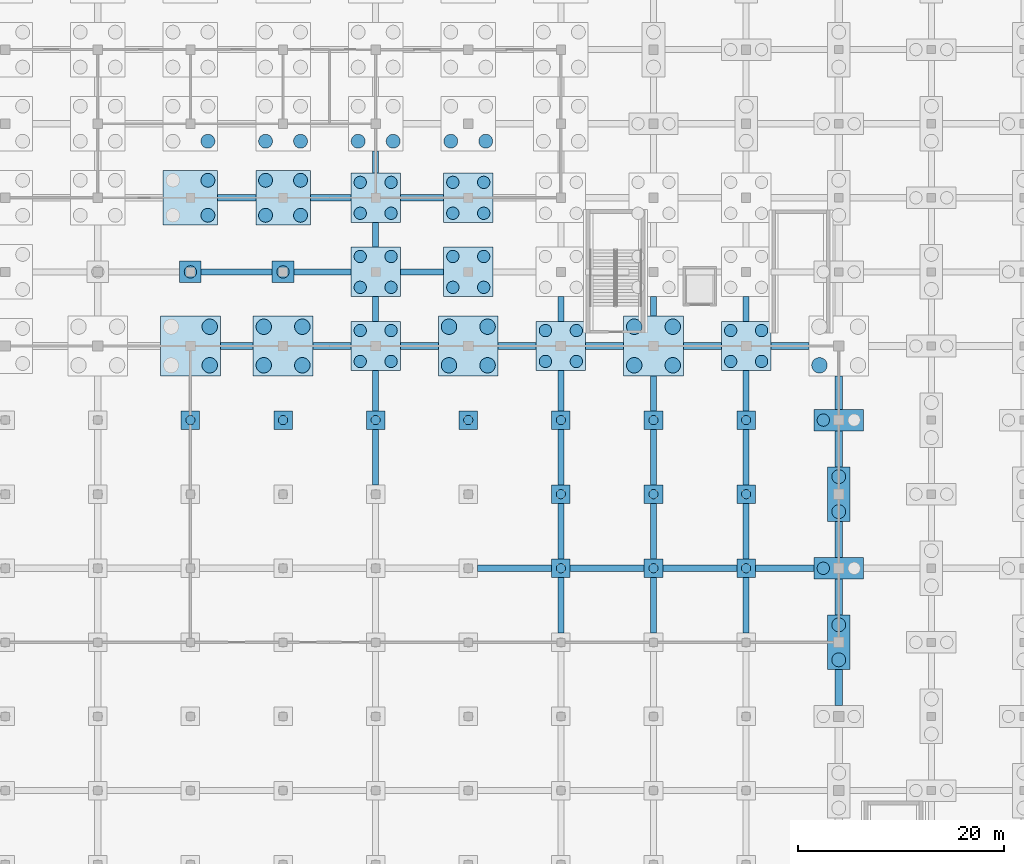
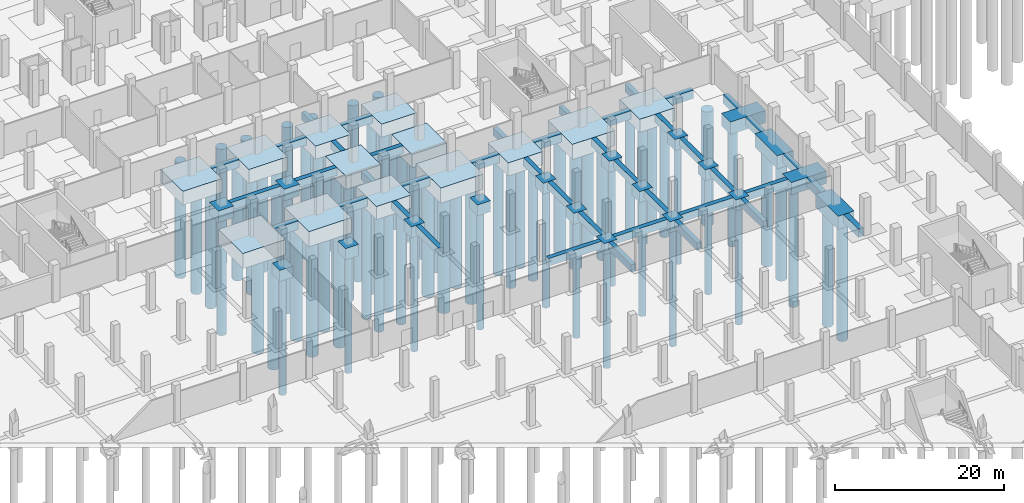
# One storey, part 5 of 39: 77 piles, 74 footings.
"""IFC4 building model written with IfcOpenShell, lengths in metres."""

from ifc_helpers import new_model, si_unit, direction, frame, origin, origin_2d, place, context, subcontext, project, spatial, rectangle, circle, extrude, material, material_profile, profile_set, type_object, element, save


model = new_model("IFC4")

# Units and contexts
model_context = context("Model", 3, precision=1e-05, world=origin(), true_north=direction((0.0, 1.0)))
body_context = subcontext(model_context, "Body", "Model", "MODEL_VIEW")
ifc_project = project(units=[si_unit("LENGTHUNIT", "METRE"), si_unit("AREAUNIT", "SQUARE_METRE"), si_unit("VOLUMEUNIT", "CUBIC_METRE"), si_unit("PLANEANGLEUNIT", "RADIAN"), si_unit("MASSUNIT", "GRAM", prefix="KILO")], contexts=[model_context])

# Site, building, storey
site_placement = place(None, origin())
site = spatial("IfcSite", under=ifc_project, at=site_placement, CompositionType="ELEMENT")
building_placement = place(site_placement, origin())
building = spatial("IfcBuilding", under=site, at=building_placement, Name="Celestram Park Convention Centre", CompositionType="ELEMENT")
storey_placement = place(building_placement, frame((0.0, 0.0, -5.39990234375)))
storey = spatial("IfcBuildingStorey", under=building, at=storey_placement, Name="B1", CompositionType="ELEMENT", Elevation=-5.39990234375)

# Footings
ifc_material_1 = material(Name="Concrete C40/50", Category="concrete")
footing_type_1 = type_object("IfcFootingType", Name="STR-CAP-PC1", PredefinedType="PILE_CAP", material=ifc_material_1)
for number, where, z_axis, x_axis, name in (
    (1, (63.0, 100.800048828125, -1.60009765625), (0.0, 0.0, 1.0), (1.0, 0.0, 0.0), "Caisson cap PC-01 at (63.0, 100.8)"),
    (2, (72.0, 100.800048828125, -1.60009765625), (0.0, 0.0, 1.0), (1.0, 0.0, 0.0), "Caisson cap PC-01 at (72.0, 100.8)"),
    (3, (81.0, 100.800048828125, -1.60009765625), (0.0, 0.0, 1.0), (1.0, 0.0, 0.0), "Caisson cap PC-01 at (81.0, 100.8)"),
    (4, (90.0, 100.800048828125, -1.60009765625), (0.0, 0.0, 1.0), (1.0, 0.0, 0.0), "Caisson cap PC-01 at (90.0, 100.8)"),
    (5, (99.0, 86.39990234375, -1.60009765625), (0.0, 0.0, 1.0), (1.0, 0.0, 0.0), "Caisson cap PC-01 at (99.0, 86.4)"),
    (6, (99.0, 93.60009765625, -1.60009765625), (0.0, 0.0, 1.0), (1.0, 0.0, 0.0), "Caisson cap PC-01 at (99.0, 93.6)"),
    (7, (99.0, 100.800048828125, -1.60009765625), (0.0, 0.0, 1.0), (1.0, 0.0, 0.0), "Caisson cap PC-01 at (99.0, 100.8)"),
    (8, (108.0, 86.39990234375, -1.60009765625), (0.0, 0.0, 1.0), (1.0, 0.0, 0.0), "Caisson cap PC-01 at (108.0, 86.4)"),
    (9, (108.0, 93.60009765625, -1.60009765625), (0.0, 0.0, 1.0), (1.0, 0.0, 0.0), "Caisson cap PC-01 at (108.0, 93.6)"),
    (10, (108.0, 100.800048828125, -1.60009765625), (0.0, 0.0, 1.0), (1.0, 0.0, 0.0), "Caisson cap PC-01 at (108.0, 100.8)"),
    (11, (117.0, 86.39990234375, -1.60009765625), (0.0, 0.0, 1.0), (1.0, 0.0, 0.0), "Caisson cap PC-01 at (117.0, 86.4)"),
    (12, (117.0, 93.60009765625, -1.60009765625), (0.0, 0.0, 1.0), (1.0, 0.0, 0.0), "Caisson cap PC-01 at (117.0, 93.6)"),
    (13, (117.0, 100.800048828125, -1.60009765625), (0.0, 0.0, 1.0), (1.0, 0.0, 0.0), "Caisson cap PC-01 at (117.0, 100.8)"),
):
    element("IfcFooting", number, at=place(storey_placement, frame(where, z_axis=z_axis, x_axis=x_axis)), inside=storey, type_object=footing_type_1, Name=name, PredefinedType="PILE_CAP", context=body_context, shape_type="SweptSolid", body=[
        extrude(rectangle(XDim=1.800048828125, YDim=1.800048828125, at=origin_2d()), origin(), (0.0, 0.0, 1.0), 1.60009765625),
    ])
footing_type_2 = type_object("IfcFootingType", Name="STR-CAP-PC2", PredefinedType="PILE_CAP", material=ifc_material_1)
for number, where, z_axis, x_axis, name in (
    (14, (63.0, 115.199951171875, -1.7001953125), (0.0, 0.0, 1.0), (1.0, 0.0, 0.0), "Caisson cap PC-02 at (63.0, 115.2)"),
    (15, (72.0, 115.199951171875, -1.7001953125), (0.0, 0.0, 1.0), (1.0, 0.0, 0.0), "Caisson cap PC-02 at (72.0, 115.2)"),
):
    element("IfcFooting", number, at=place(storey_placement, frame(where, z_axis=z_axis, x_axis=x_axis)), inside=storey, type_object=footing_type_2, Name=name, PredefinedType="PILE_CAP", context=body_context, shape_type="SweptSolid", body=[
        extrude(rectangle(XDim=2.10009765625, YDim=2.10009765625, at=origin_2d()), origin(), (0.0, 0.0, 1.0), 1.699951171875),
    ])
footing_type_3 = type_object("IfcFootingType", Name="STR-CAP-PC4", PredefinedType="PILE_CAP", material=ifc_material_1)
for number, where, z_axis, x_axis, name in (
    (16, (126.0, 86.39990234375, -1.80029296875), (0.0, 0.0, 1.0), (1.0, 0.0, 0.0), "Caisson cap PC-04 at (126.0, 86.4)"),
    (17, (126.0, 100.800048828125, -1.80029296875), (0.0, 0.0, 1.0), (1.0, 0.0, 0.0), "Caisson cap PC-04 at (126.0, 100.8)"),
):
    element("IfcFooting", number, at=place(storey_placement, frame(where, z_axis=z_axis, x_axis=x_axis)), inside=storey, type_object=footing_type_3, Name=name, PredefinedType="PILE_CAP", context=body_context, shape_type="SweptSolid", body=[
        extrude(rectangle(XDim=4.800048828125, YDim=2.10009765625, at=origin_2d()), origin(), (0.0, 0.0, 1.0), 1.800048828125),
    ])
footing_type_4 = type_object("IfcFootingType", Name="STR-CAP-PC5", PredefinedType="PILE_CAP", material=ifc_material_1)
for number, where, z_axis, x_axis, name in (
    (18, (126.0, 79.199951171875, -1.900146484375), (0.0, 0.0, 1.0), (1.0, 0.0, 0.0), "Caisson cap PC-05 at (126.0, 79.2)"),
    (19, (126.0, 93.60009765625, -1.900146484375), (0.0, 0.0, 1.0), (1.0, 0.0, 0.0), "Caisson cap PC-05 at (126.0, 93.6)"),
):
    element("IfcFooting", number, at=place(storey_placement, frame(where, z_axis=z_axis, x_axis=x_axis)), inside=storey, type_object=footing_type_4, Name=name, PredefinedType="PILE_CAP", context=body_context, shape_type="SweptSolid", body=[
        extrude(rectangle(XDim=2.199951171875, YDim=5.300048828125, at=origin_2d()), origin(), (0.0, 0.0, 1.0), 1.89990234375),
    ])
footing_type_5 = type_object("IfcFootingType", Name="STR-CAP-PC6", PredefinedType="PILE_CAP", material=ifc_material_1)
for number, where, z_axis, x_axis, name in (
    (20, (81.0, 108.0, -1.900146484375), (0.0, 0.0, 1.0), (1.0, 0.0, 0.0), "Caisson cap PC-06 at (81.0, 108.0)"),
    (21, (81.0, 115.199951171875, -1.900146484375), (0.0, 0.0, 1.0), (1.0, 0.0, 0.0), "Caisson cap PC-06 at (81.0, 115.2)"),
    (22, (81.0, 122.39990234375, -1.900146484375), (0.0, 0.0, 1.0), (1.0, 0.0, 0.0), "Caisson cap PC-06 at (81.0, 122.4)"),
    (23, (90.0, 115.199951171875, -1.900146484375), (0.0, 0.0, 1.0), (1.0, 0.0, 0.0), "Caisson cap PC-06 at (90.0, 115.2)"),
    (24, (90.0, 122.39990234375, -1.900146484375), (0.0, 0.0, 1.0), (1.0, 0.0, 0.0), "Caisson cap PC-06 at (90.0, 122.4)"),
    (25, (99.0, 108.0, -1.900146484375), (0.0, 0.0, 1.0), (1.0, 0.0, 0.0), "Caisson cap PC-06 at (99.0, 108.0)"),
    (26, (117.0, 108.0, -1.900146484375), (0.0, 0.0, 1.0), (1.0, 0.0, 0.0), "Caisson cap PC-06 at (117.0, 108.0)"),
):
    element("IfcFooting", number, at=place(storey_placement, frame(where, z_axis=z_axis, x_axis=x_axis)), inside=storey, type_object=footing_type_5, Name=name, PredefinedType="PILE_CAP", context=body_context, shape_type="SweptSolid", body=[
        extrude(rectangle(XDim=4.800048828125, YDim=4.800048828125, at=origin_2d()), origin(), (0.0, 0.0, 1.0), 1.89990234375),
    ])
footing_type_6 = type_object("IfcFootingType", Name="STR-CAP-PC7", PredefinedType="PILE_CAP", material=ifc_material_1)
for number, where, z_axis, x_axis, name in (
    (27, (63.0, 122.39990234375, -2.0), (0.0, 0.0, 1.0), (1.0, 0.0, 0.0), "Caisson cap PC-07 at (63.0, 122.4)"),
    (28, (72.0, 122.39990234375, -2.0), (0.0, 0.0, 1.0), (1.0, 0.0, 0.0), "Caisson cap PC-07 at (72.0, 122.4)"),
):
    element("IfcFooting", number, at=place(storey_placement, frame(where, z_axis=z_axis, x_axis=x_axis)), inside=storey, type_object=footing_type_6, Name=name, PredefinedType="PILE_CAP", context=body_context, shape_type="SweptSolid", body=[
        extrude(rectangle(XDim=5.300048828125, YDim=5.300048828125, at=origin_2d()), origin(), (0.0, 0.0, 1.0), 2.0),
    ])
footing_type_7 = type_object("IfcFootingType", Name="STR-CAP-PC8", PredefinedType="PILE_CAP", material=ifc_material_1)
for number, where, z_axis, x_axis, name in (
    (29, (63.0, 108.0, -2.2001953125), (0.0, 0.0, 1.0), (1.0, 0.0, 0.0), "Caisson cap PC-08 at (63.0, 108.0)"),
    (30, (72.0, 108.0, -2.2001953125), (0.0, 0.0, 1.0), (1.0, 0.0, 0.0), "Caisson cap PC-08 at (72.0, 108.0)"),
    (31, (90.0, 108.0, -2.2001953125), (0.0, 0.0, 1.0), (1.0, 0.0, 0.0), "Caisson cap PC-08 at (90.0, 108.0)"),
    (32, (108.0, 108.0, -2.2001953125), (0.0, 0.0, 1.0), (1.0, 0.0, 0.0), "Caisson cap PC-08 at (108.0, 108.0)"),
):
    element("IfcFooting", number, at=place(storey_placement, frame(where, z_axis=z_axis, x_axis=x_axis)), inside=storey, type_object=footing_type_7, Name=name, PredefinedType="PILE_CAP", context=body_context, shape_type="SweptSolid", body=[
        extrude(rectangle(XDim=5.800048828125, YDim=5.800048828125, at=origin_2d()), origin(), (0.0, 0.0, 1.0), 2.199951171875),
    ])
ifc_material_2 = material(Name="Concrete C35/45", Category="concrete")
footing_type_8 = type_object("IfcFootingType", Name="STR-FTG-GB02", PredefinedType="FOOTING_BEAM", material=ifc_material_2)
footing_1_placement = place(storey_placement, frame((126.0, 103.47509765625, -1.2001953125), z_axis=(0.0, 0.0, 1.0), x_axis=(0.0, 1.0, 0.0)))
element("IfcFooting", 33, at=footing_1_placement, inside=storey, type_object=footing_type_8, Name="Grade tie beam GB-B1-362", PredefinedType="FOOTING_BEAM", context=body_context, shape_type="SweptSolid", body=[
    extrude(rectangle(XDim=3.25, YDim=0.699951171875, at=origin_2d()), origin(), (0.0, 0.0, 1.0), 1.199951171875),
])
footing_type_9 = type_object("IfcFootingType", Name="STR-FTG-GB05", PredefinedType="FOOTING_BEAM", material=ifc_material_2)
footing_2_placement = place(storey_placement, frame((67.5, 115.199951171875, -1.10009765625), z_axis=(0.0, 0.0, 1.0), x_axis=(1.0, 0.0, 0.0)))
element("IfcFooting", 34, at=footing_2_placement, inside=storey, type_object=footing_type_9, Name="Grade tie beam GB-B1-171", PredefinedType="FOOTING_BEAM", context=body_context, shape_type="SweptSolid", body=[
    extrude(rectangle(XDim=6.89990234375, YDim=0.60009765625, at=origin_2d()), origin(), (0.0, 0.0, 1.0), 1.10009765625),
])
footing_type_10 = type_object("IfcFootingType", Name="STR-FTG-GB06", PredefinedType="FOOTING_BEAM", material=ifc_material_2)
for number, where, z_axis, x_axis, name in (
    (35, (94.5, 86.39990234375, -1.10009765625), (0.0, 0.0, 1.0), (1.0, 0.0, 0.0), "Grade tie beam GB-B1-231"),
    (36, (103.5, 86.39990234375, -1.10009765625), (0.0, 0.0, 1.0), (1.0, 0.0, 0.0), "Grade tie beam GB-B1-256"),
    (37, (112.5, 86.39990234375, -1.10009765625), (0.0, 0.0, 1.0), (1.0, 0.0, 0.0), "Grade tie beam GB-B1-292"),
):
    element("IfcFooting", number, at=place(storey_placement, frame(where, z_axis=z_axis, x_axis=x_axis)), inside=storey, type_object=footing_type_10, Name=name, PredefinedType="FOOTING_BEAM", context=body_context, shape_type="SweptSolid", body=[
        extrude(rectangle(XDim=7.199951171875, YDim=0.60009765625, at=origin_2d()), origin(), (0.0, 0.0, 1.0), 1.10009765625),
    ])
footing_type_11 = type_object("IfcFootingType", Name="STR-FTG-GB08", PredefinedType="FOOTING_BEAM", material=ifc_material_2)
for number, where, z_axis, x_axis, name in (
    (38, (81.0, 97.199951171875, -1.10009765625), (0.0, 0.0, 1.0), (0.0, 1.0, 0.0), "Grade tie beam GB-B1-209"),
    (39, (99.0, 82.800048828125, -1.10009765625), (0.0, 0.0, 1.0), (0.0, 1.0, 0.0), "Grade tie beam GB-B1-255"),
    (40, (99.0, 90.0, -1.10009765625), (0.0, 0.0, 1.0), (0.0, 1.0, 0.0), "Grade tie beam GB-B1-257"),
    (41, (99.0, 97.199951171875, -1.10009765625), (0.0, 0.0, 1.0), (0.0, 1.0, 0.0), "Grade tie beam GB-B1-258"),
    (42, (108.0, 82.800048828125, -1.10009765625), (0.0, 0.0, 1.0), (0.0, 1.0, 0.0), "Grade tie beam GB-B1-291"),
    (43, (108.0, 90.0, -1.10009765625), (0.0, 0.0, 1.0), (0.0, 1.0, 0.0), "Grade tie beam GB-B1-293"),
    (44, (108.0, 97.199951171875, -1.10009765625), (0.0, 0.0, 1.0), (0.0, 1.0, 0.0), "Grade tie beam GB-B1-294"),
    (45, (117.0, 82.800048828125, -1.10009765625), (0.0, 0.0, 1.0), (0.0, 1.0, 0.0), "Grade tie beam GB-B1-326"),
    (46, (117.0, 90.0, -1.10009765625), (0.0, 0.0, 1.0), (0.0, 1.0, 0.0), "Grade tie beam GB-B1-328"),
    (47, (117.0, 97.199951171875, -1.10009765625), (0.0, 0.0, 1.0), (0.0, 1.0, 0.0), "Grade tie beam GB-B1-329"),
):
    element("IfcFooting", number, at=place(storey_placement, frame(where, z_axis=z_axis, x_axis=x_axis)), inside=storey, type_object=footing_type_11, Name=name, PredefinedType="FOOTING_BEAM", context=body_context, shape_type="SweptSolid", body=[
        extrude(rectangle(XDim=5.39990234375, YDim=0.60009765625, at=origin_2d()), origin(), (0.0, 0.0, 1.0), 1.10009765625),
    ])
footing_type_12 = type_object("IfcFootingType", Name="STR-FTG-GB17", PredefinedType="FOOTING_BEAM", material=ifc_material_2)
footing_3_placement = place(storey_placement, frame((67.5, 122.39990234375, -1.10009765625), z_axis=(0.0, 0.0, 1.0), x_axis=(1.0, 0.0, 0.0)))
element("IfcFooting", 48, at=footing_3_placement, inside=storey, type_object=footing_type_12, Name="Grade tie beam GB-B1-172", PredefinedType="FOOTING_BEAM", context=body_context, shape_type="SweptSolid", body=[
    extrude(rectangle(XDim=3.699951171875, YDim=0.60009765625, at=origin_2d()), origin(), (0.0, 0.0, 1.0), 1.10009765625),
])
footing_type_13 = type_object("IfcFootingType", Name="STR-FTG-GB19", PredefinedType="FOOTING_BEAM", material=ifc_material_2)
for number, where, z_axis, x_axis, name in (
    (49, (76.75, 108.0, -1.2001953125), (0.0, 0.0, 1.0), (1.0, 0.0, 0.0), "Grade tie beam GB-B1-183"),
    (50, (85.25, 108.0, -1.2001953125), (0.0, 0.0, 1.0), (1.0, 0.0, 0.0), "Grade tie beam GB-B1-211"),
    (51, (94.75, 108.0, -1.2001953125), (0.0, 0.0, 1.0), (1.0, 0.0, 0.0), "Grade tie beam GB-B1-232"),
    (52, (103.25, 108.0, -1.2001953125), (0.0, 0.0, 1.0), (1.0, 0.0, 0.0), "Grade tie beam GB-B1-260"),
    (53, (112.75, 108.0, -1.2001953125), (0.0, 0.0, 1.0), (1.0, 0.0, 0.0), "Grade tie beam GB-B1-296"),
    (54, (121.25, 108.0, -1.2001953125), (0.0, 0.0, 1.0), (1.0, 0.0, 0.0), "Grade tie beam GB-B1-331"),
):
    element("IfcFooting", number, at=place(storey_placement, frame(where, z_axis=z_axis, x_axis=x_axis)), inside=storey, type_object=footing_type_13, Name=name, PredefinedType="FOOTING_BEAM", context=body_context, shape_type="SweptSolid", body=[
        extrude(rectangle(XDim=3.699951171875, YDim=0.699951171875, at=origin_2d()), origin(), (0.0, 0.0, 1.0), 1.199951171875),
    ])
footing_type_14 = type_object("IfcFootingType", Name="STR-FTG-GB21", PredefinedType="FOOTING_BEAM", material=ifc_material_2)
footing_4_placement = place(storey_placement, frame((67.5, 108.0, -1.2001953125), z_axis=(0.0, 0.0, 1.0), x_axis=(1.0, 0.0, 0.0)))
element("IfcFooting", 55, at=footing_4_placement, inside=storey, type_object=footing_type_14, Name="Grade tie beam GB-B1-170", PredefinedType="FOOTING_BEAM", context=body_context, shape_type="SweptSolid", body=[
    extrude(rectangle(XDim=3.199951171875, YDim=0.699951171875, at=origin_2d()), origin(), (0.0, 0.0, 1.0), 1.199951171875),
])
footing_type_15 = type_object("IfcFootingType", Name="STR-FTG-GB22", PredefinedType="FOOTING_BEAM", material=ifc_material_2)
footing_5_placement = place(storey_placement, frame((108.0, 103.39990234375, -1.10009765625), z_axis=(0.0, 0.0, 1.0), x_axis=(0.0, 1.0, 0.0)))
element("IfcFooting", 56, at=footing_5_placement, inside=storey, type_object=footing_type_15, Name="Grade tie beam GB-B1-295", PredefinedType="FOOTING_BEAM", context=body_context, shape_type="SweptSolid", body=[
    extrude(rectangle(XDim=3.39990234375, YDim=0.60009765625, at=origin_2d()), origin(), (0.0, 0.0, 1.0), 1.10009765625),
])
footing_type_16 = type_object("IfcFootingType", Name="STR-FTG-GB24", PredefinedType="FOOTING_BEAM", material=ifc_material_2)
footing_6_placement = place(storey_placement, frame((108.0, 111.85009765625, -1.10009765625), z_axis=(0.0, 0.0, 1.0), x_axis=(0.0, 1.0, 0.0)))
element("IfcFooting", 57, at=footing_6_placement, inside=storey, type_object=footing_type_16, Name="Grade tie beam GB-B1-297", PredefinedType="FOOTING_BEAM", context=body_context, shape_type="SweptSolid", body=[
    extrude(rectangle(XDim=1.89990234375, YDim=0.60009765625, at=origin_2d()), origin(), (0.0, 0.0, 1.0), 1.10009765625),
])
footing_type_17 = type_object("IfcFootingType", Name="STR-FTG-GB25", PredefinedType="FOOTING_BEAM", material=ifc_material_2)
footing_7_placement = place(storey_placement, frame((75.824951171875, 115.199951171875, -1.10009765625), z_axis=(0.0, 0.0, 1.0), x_axis=(1.0, 0.0, 0.0)))
element("IfcFooting", 58, at=footing_7_placement, inside=storey, type_object=footing_type_17, Name="Grade tie beam GB-B1-184", PredefinedType="FOOTING_BEAM", context=body_context, shape_type="SweptSolid", body=[
    extrude(rectangle(XDim=5.550048828125, YDim=0.60009765625, at=origin_2d()), origin(), (0.0, 0.0, 1.0), 1.10009765625),
])
footing_type_18 = type_object("IfcFootingType", Name="STR-FTG-GB26", PredefinedType="FOOTING_BEAM", material=ifc_material_2)
footing_8_placement = place(storey_placement, frame((76.625, 122.39990234375, -1.10009765625), z_axis=(0.0, 0.0, 1.0), x_axis=(1.0, 0.0, 0.0)))
element("IfcFooting", 59, at=footing_8_placement, inside=storey, type_object=footing_type_18, Name="Grade tie beam GB-B1-185", PredefinedType="FOOTING_BEAM", context=body_context, shape_type="SweptSolid", body=[
    extrude(rectangle(XDim=3.949951171875, YDim=0.60009765625, at=origin_2d()), origin(), (0.0, 0.0, 1.0), 1.10009765625),
])
footing_type_19 = type_object("IfcFootingType", Name="STR-FTG-GB27", PredefinedType="FOOTING_BEAM", material=ifc_material_2)
for number, where, z_axis, x_axis, name in (
    (60, (81.0, 103.64990234375, -1.10009765625), (0.0, 0.0, 1.0), (0.0, 1.0, 0.0), "Grade tie beam GB-B1-210"),
    (61, (99.0, 103.64990234375, -1.10009765625), (0.0, 0.0, 1.0), (0.0, 1.0, 0.0), "Grade tie beam GB-B1-259"),
    (62, (117.0, 103.64990234375, -1.10009765625), (0.0, 0.0, 1.0), (0.0, 1.0, 0.0), "Grade tie beam GB-B1-330"),
):
    element("IfcFooting", number, at=place(storey_placement, frame(where, z_axis=z_axis, x_axis=x_axis)), inside=storey, type_object=footing_type_19, Name=name, PredefinedType="FOOTING_BEAM", context=body_context, shape_type="SweptSolid", body=[
        extrude(rectangle(XDim=3.89990234375, YDim=0.60009765625, at=origin_2d()), origin(), (0.0, 0.0, 1.0), 1.10009765625),
    ])
footing_type_20 = type_object("IfcFootingType", Name="STR-FTG-GB28", PredefinedType="FOOTING_BEAM", material=ifc_material_2)
for number, where, z_axis, x_axis, name in (
    (63, (81.0, 111.60009765625, -1.10009765625), (0.0, 0.0, 1.0), (0.0, 1.0, 0.0), "Grade tie beam GB-B1-212"),
    (64, (81.0, 118.800048828125, -1.10009765625), (0.0, 0.0, 1.0), (0.0, 1.0, 0.0), "Grade tie beam GB-B1-214"),
    (65, (99.0, 111.60009765625, -1.10009765625), (0.0, 0.0, 1.0), (0.0, 1.0, 0.0), "Grade tie beam GB-B1-261"),
    (66, (117.0, 111.60009765625, -1.10009765625), (0.0, 0.0, 1.0), (0.0, 1.0, 0.0), "Grade tie beam GB-B1-332"),
):
    element("IfcFooting", number, at=place(storey_placement, frame(where, z_axis=z_axis, x_axis=x_axis)), inside=storey, type_object=footing_type_20, Name=name, PredefinedType="FOOTING_BEAM", context=body_context, shape_type="SweptSolid", body=[
        extrude(rectangle(XDim=2.39990234375, YDim=0.60009765625, at=origin_2d()), origin(), (0.0, 0.0, 1.0), 1.10009765625),
    ])
footing_type_21 = type_object("IfcFootingType", Name="STR-FTG-GB29", PredefinedType="FOOTING_BEAM", material=ifc_material_2)
for number, where, z_axis, x_axis, name in (
    (67, (85.5, 115.199951171875, -1.10009765625), (0.0, 0.0, 1.0), (1.0, 0.0, 0.0), "Grade tie beam GB-B1-213"),
    (68, (85.5, 122.39990234375, -1.10009765625), (0.0, 0.0, 1.0), (1.0, 0.0, 0.0), "Grade tie beam GB-B1-215"),
):
    element("IfcFooting", number, at=place(storey_placement, frame(where, z_axis=z_axis, x_axis=x_axis)), inside=storey, type_object=footing_type_21, Name=name, PredefinedType="FOOTING_BEAM", context=body_context, shape_type="SweptSolid", body=[
        extrude(rectangle(XDim=4.199951171875, YDim=0.60009765625, at=origin_2d()), origin(), (0.0, 0.0, 1.0), 1.10009765625),
    ])
footing_type_22 = type_object("IfcFootingType", Name="STR-FTG-GB30", PredefinedType="FOOTING_BEAM", material=ifc_material_2)
footing_9_placement = place(storey_placement, frame((81.0, 125.875, -1.10009765625), z_axis=(0.0, 0.0, 1.0), x_axis=(0.0, 1.0, 0.0)))
element("IfcFooting", 69, at=footing_9_placement, inside=storey, type_object=footing_type_22, Name="Grade tie beam GB-B1-216", PredefinedType="FOOTING_BEAM", context=body_context, shape_type="SweptSolid", body=[
    extrude(rectangle(XDim=2.14990234375, YDim=0.60009765625, at=origin_2d()), origin(), (0.0, 0.0, 1.0), 1.10009765625),
])
footing_type_23 = type_object("IfcFootingType", Name="STR-FTG-GB36", PredefinedType="FOOTING_BEAM", material=ifc_material_2)
footing_10_placement = place(storey_placement, frame((120.75, 86.39990234375, -1.10009765625), z_axis=(0.0, 0.0, 1.0), x_axis=(1.0, 0.0, 0.0)))
element("IfcFooting", 70, at=footing_10_placement, inside=storey, type_object=footing_type_23, Name="Grade tie beam GB-B1-327", PredefinedType="FOOTING_BEAM", context=body_context, shape_type="SweptSolid", body=[
    extrude(rectangle(XDim=5.699951171875, YDim=0.60009765625, at=origin_2d()), origin(), (0.0, 0.0, 1.0), 1.10009765625),
])
footing_type_24 = type_object("IfcFootingType", Name="STR-FTG-GB39", PredefinedType="FOOTING_BEAM", material=ifc_material_2)
for number, where, z_axis, x_axis, name in (
    (71, (126.0, 74.800048828125, -1.2001953125), (0.0, 0.0, 1.0), (0.0, 1.0, 0.0), "Grade tie beam GB-B1-357"),
    (72, (126.0, 83.60009765625, -1.2001953125), (0.0, 0.0, 1.0), (0.0, 1.0, 0.0), "Grade tie beam GB-B1-358"),
    (73, (126.0, 89.199951171875, -1.2001953125), (0.0, 0.0, 1.0), (0.0, 1.0, 0.0), "Grade tie beam GB-B1-360"),
    (74, (126.0, 98.0, -1.2001953125), (0.0, 0.0, 1.0), (0.0, 1.0, 0.0), "Grade tie beam GB-B1-361"),
):
    element("IfcFooting", number, at=place(storey_placement, frame(where, z_axis=z_axis, x_axis=x_axis)), inside=storey, type_object=footing_type_24, Name=name, PredefinedType="FOOTING_BEAM", context=body_context, shape_type="SweptSolid", body=[
        extrude(rectangle(XDim=3.5, YDim=0.699951171875, at=origin_2d()), origin(), (0.0, 0.0, 1.0), 1.199951171875),
    ])

# Piles
ifc_material_profile_1 = material_profile(ifc_material_1, circle(Radius=0.60009765625, at=origin_2d()), Name="CAISSON1200")
ifc_profile_set_1 = profile_set([ifc_material_profile_1], Name="Concrete C40/50")
pile_type_1 = type_object("IfcPileType", Name="STR-PIL-C1200", PredefinedType="BORED", material=ifc_profile_set_1)
for number, where, z_axis, x_axis, name in (
    (75, (63.0, 115.199951171875, -1.60009765625), (0.0, 0.0, -1.0), (1.0, 0.0, 0.0), "Bored caisson PC-B1-263"),
    (76, (72.0, 115.199951171875, -1.60009765625), (0.0, 0.0, -1.0), (1.0, 0.0, 0.0), "Bored caisson PC-B1-314"),
):
    element("IfcPile", number, at=place(storey_placement, frame(where, z_axis=z_axis, x_axis=x_axis)), inside=storey, type_object=pile_type_1, Name=name, PredefinedType="BORED", context=body_context, shape_type="SweptSolid", body=[
        extrude(circle(Radius=0.60009765625, at=origin_2d()), origin(), (0.0, 0.0, 1.0), 17.0),
    ])
for number, where, z_axis, x_axis, name in (
    (77, (79.5, 106.5, -1.800048828125), (0.0, 0.0, -1.0), (1.0, 0.0, 0.0), "Bored caisson PC-B1-358"),
    (78, (82.5, 106.5, -1.800048828125), (0.0, 0.0, -1.0), (1.0, 0.0, 0.0), "Bored caisson PC-B1-359"),
    (79, (79.5, 109.5, -1.800048828125), (0.0, 0.0, -1.0), (1.0, 0.0, 0.0), "Bored caisson PC-B1-360"),
    (80, (82.5, 109.5, -1.800048828125), (0.0, 0.0, -1.0), (1.0, 0.0, 0.0), "Bored caisson PC-B1-361"),
    (81, (79.5, 113.699951171875, -1.800048828125), (0.0, 0.0, -1.0), (1.0, 0.0, 0.0), "Bored caisson PC-B1-362"),
    (82, (82.5, 113.699951171875, -1.800048828125), (0.0, 0.0, -1.0), (1.0, 0.0, 0.0), "Bored caisson PC-B1-363"),
    (83, (79.5, 116.699951171875, -1.800048828125), (0.0, 0.0, -1.0), (1.0, 0.0, 0.0), "Bored caisson PC-B1-364"),
    (84, (82.5, 116.699951171875, -1.800048828125), (0.0, 0.0, -1.0), (1.0, 0.0, 0.0), "Bored caisson PC-B1-365"),
    (85, (79.5, 120.89990234375, -1.800048828125), (0.0, 0.0, -1.0), (1.0, 0.0, 0.0), "Bored caisson PC-B1-366"),
    (86, (82.5, 120.89990234375, -1.800048828125), (0.0, 0.0, -1.0), (1.0, 0.0, 0.0), "Bored caisson PC-B1-367"),
    (87, (79.5, 123.89990234375, -1.800048828125), (0.0, 0.0, -1.0), (1.0, 0.0, 0.0), "Bored caisson PC-B1-368"),
    (88, (82.5, 123.89990234375, -1.800048828125), (0.0, 0.0, -1.0), (1.0, 0.0, 0.0), "Bored caisson PC-B1-369"),
    (89, (88.5, 113.699951171875, -1.800048828125), (0.0, 0.0, -1.0), (1.0, 0.0, 0.0), "Bored caisson PC-B1-416"),
    (90, (91.5, 113.699951171875, -1.800048828125), (0.0, 0.0, -1.0), (1.0, 0.0, 0.0), "Bored caisson PC-B1-417"),
    (91, (88.5, 116.699951171875, -1.800048828125), (0.0, 0.0, -1.0), (1.0, 0.0, 0.0), "Bored caisson PC-B1-418"),
    (92, (91.5, 116.699951171875, -1.800048828125), (0.0, 0.0, -1.0), (1.0, 0.0, 0.0), "Bored caisson PC-B1-419"),
    (93, (88.5, 120.89990234375, -1.800048828125), (0.0, 0.0, -1.0), (1.0, 0.0, 0.0), "Bored caisson PC-B1-420"),
    (94, (91.5, 120.89990234375, -1.800048828125), (0.0, 0.0, -1.0), (1.0, 0.0, 0.0), "Bored caisson PC-B1-421"),
    (95, (88.5, 123.89990234375, -1.800048828125), (0.0, 0.0, -1.0), (1.0, 0.0, 0.0), "Bored caisson PC-B1-422"),
    (96, (91.5, 123.89990234375, -1.800048828125), (0.0, 0.0, -1.0), (1.0, 0.0, 0.0), "Bored caisson PC-B1-423"),
    (97, (97.5, 106.5, -1.800048828125), (0.0, 0.0, -1.0), (1.0, 0.0, 0.0), "Bored caisson PC-B1-463"),
    (98, (100.5, 106.5, -1.800048828125), (0.0, 0.0, -1.0), (1.0, 0.0, 0.0), "Bored caisson PC-B1-464"),
    (99, (97.5, 109.5, -1.800048828125), (0.0, 0.0, -1.0), (1.0, 0.0, 0.0), "Bored caisson PC-B1-465"),
    (100, (100.5, 109.5, -1.800048828125), (0.0, 0.0, -1.0), (1.0, 0.0, 0.0), "Bored caisson PC-B1-466"),
    (101, (115.5, 106.5, -1.800048828125), (0.0, 0.0, -1.0), (1.0, 0.0, 0.0), "Bored caisson PC-B1-556"),
    (102, (118.5, 106.5, -1.800048828125), (0.0, 0.0, -1.0), (1.0, 0.0, 0.0), "Bored caisson PC-B1-557"),
    (103, (115.5, 109.5, -1.800048828125), (0.0, 0.0, -1.0), (1.0, 0.0, 0.0), "Bored caisson PC-B1-558"),
    (104, (118.5, 109.5, -1.800048828125), (0.0, 0.0, -1.0), (1.0, 0.0, 0.0), "Bored caisson PC-B1-559"),
):
    element("IfcPile", number, at=place(storey_placement, frame(where, z_axis=z_axis, x_axis=x_axis)), inside=storey, type_object=pile_type_1, Name=name, PredefinedType="BORED", context=body_context, shape_type="SweptSolid", body=[
        extrude(circle(Radius=0.60009765625, at=origin_2d()), origin(), (0.0, 0.0, 1.0), 16.800048828125),
    ])
for number, where, z_axis, x_axis, name in (
    (105, (124.5, 86.39990234375, -1.7001953125), (0.0, 0.0, -1.0), (1.0, 0.0, 0.0), "Bored caisson PC-B1-597"),
    (106, (124.5, 100.800048828125, -1.7001953125), (0.0, 0.0, -1.0), (1.0, 0.0, 0.0), "Bored caisson PC-B1-601"),
):
    element("IfcPile", number, at=place(storey_placement, frame(where, z_axis=z_axis, x_axis=x_axis)), inside=storey, type_object=pile_type_1, Name=name, PredefinedType="BORED", context=body_context, shape_type="SweptSolid", body=[
        extrude(circle(Radius=0.60009765625, at=origin_2d()), origin(), (0.0, 0.0, 1.0), 16.89990234375),
    ])
ifc_material_profile_2 = material_profile(ifc_material_1, circle(Radius=0.675048828125, at=origin_2d()), Name="CAISSON1350")
ifc_profile_set_2 = profile_set([ifc_material_profile_2], Name="Concrete C40/50")
pile_type_2 = type_object("IfcPileType", Name="STR-PIL-C1350", PredefinedType="BORED", material=ifc_profile_set_2)
for number, where, z_axis, x_axis, name in (
    (107, (64.699951171875, 120.699951171875, -1.900146484375), (0.0, 0.0, -1.0), (1.0, 0.0, 0.0), "Bored caisson PC-B1-265"),
    (108, (64.699951171875, 124.10009765625, -1.900146484375), (0.0, 0.0, -1.0), (1.0, 0.0, 0.0), "Bored caisson PC-B1-267"),
    (109, (64.699951171875, 127.89990234375, -1.900146484375), (0.0, 0.0, -1.0), (1.0, 0.0, 0.0), "Bored caisson PC-B1-269"),
    (110, (70.300048828125, 120.699951171875, -1.900146484375), (0.0, 0.0, -1.0), (1.0, 0.0, 0.0), "Bored caisson PC-B1-315"),
    (111, (73.699951171875, 120.699951171875, -1.900146484375), (0.0, 0.0, -1.0), (1.0, 0.0, 0.0), "Bored caisson PC-B1-316"),
    (112, (70.300048828125, 124.10009765625, -1.900146484375), (0.0, 0.0, -1.0), (1.0, 0.0, 0.0), "Bored caisson PC-B1-317"),
    (113, (73.699951171875, 124.10009765625, -1.900146484375), (0.0, 0.0, -1.0), (1.0, 0.0, 0.0), "Bored caisson PC-B1-318"),
    (114, (70.300048828125, 127.89990234375, -1.900146484375), (0.0, 0.0, -1.0), (1.0, 0.0, 0.0), "Bored caisson PC-B1-319"),
    (115, (73.699951171875, 127.89990234375, -1.900146484375), (0.0, 0.0, -1.0), (1.0, 0.0, 0.0), "Bored caisson PC-B1-320"),
    (116, (79.300048828125, 127.89990234375, -1.900146484375), (0.0, 0.0, -1.0), (1.0, 0.0, 0.0), "Bored caisson PC-B1-370"),
    (117, (82.699951171875, 127.89990234375, -1.900146484375), (0.0, 0.0, -1.0), (1.0, 0.0, 0.0), "Bored caisson PC-B1-371"),
    (118, (88.300048828125, 127.89990234375, -1.900146484375), (0.0, 0.0, -1.0), (1.0, 0.0, 0.0), "Bored caisson PC-B1-424"),
    (119, (91.699951171875, 127.89990234375, -1.900146484375), (0.0, 0.0, -1.0), (1.0, 0.0, 0.0), "Bored caisson PC-B1-425"),
):
    element("IfcPile", number, at=place(storey_placement, frame(where, z_axis=z_axis, x_axis=x_axis)), inside=storey, type_object=pile_type_2, Name=name, PredefinedType="BORED", context=body_context, shape_type="SweptSolid", body=[
        extrude(circle(Radius=0.675048828125, at=origin_2d()), origin(), (0.0, 0.0, 1.0), 16.699951171875),
    ])
for number, where, z_axis, x_axis, name in (
    (120, (126.0, 77.5, -1.800048828125), (0.0, 0.0, -1.0), (1.0, 0.0, 0.0), "Bored caisson PC-B1-595"),
    (121, (126.0, 80.89990234375, -1.800048828125), (0.0, 0.0, -1.0), (1.0, 0.0, 0.0), "Bored caisson PC-B1-596"),
    (122, (126.0, 91.89990234375, -1.800048828125), (0.0, 0.0, -1.0), (1.0, 0.0, 0.0), "Bored caisson PC-B1-599"),
    (123, (126.0, 95.300048828125, -1.800048828125), (0.0, 0.0, -1.0), (1.0, 0.0, 0.0), "Bored caisson PC-B1-600"),
):
    element("IfcPile", number, at=place(storey_placement, frame(where, z_axis=z_axis, x_axis=x_axis)), inside=storey, type_object=pile_type_2, Name=name, PredefinedType="BORED", context=body_context, shape_type="SweptSolid", body=[
        extrude(circle(Radius=0.675048828125, at=origin_2d()), origin(), (0.0, 0.0, 1.0), 16.800048828125),
    ])
ifc_material_profile_3 = material_profile(ifc_material_1, circle(Radius=0.75, at=origin_2d()), Name="CAISSON1500")
ifc_profile_set_3 = profile_set([ifc_material_profile_3], Name="Concrete C40/50")
pile_type_3 = type_object("IfcPileType", Name="STR-PIL-C1500", PredefinedType="BORED", material=ifc_profile_set_3)
for number, where, z_axis, x_axis, name in (
    (124, (64.875, 106.125, -2.10009765625), (0.0, 0.0, -1.0), (1.0, 0.0, 0.0), "Bored caisson PC-B1-260"),
    (125, (64.875, 109.875, -2.10009765625), (0.0, 0.0, -1.0), (1.0, 0.0, 0.0), "Bored caisson PC-B1-262"),
    (126, (70.125, 106.125, -2.10009765625), (0.0, 0.0, -1.0), (1.0, 0.0, 0.0), "Bored caisson PC-B1-310"),
    (127, (73.875, 106.125, -2.10009765625), (0.0, 0.0, -1.0), (1.0, 0.0, 0.0), "Bored caisson PC-B1-311"),
    (128, (70.125, 109.875, -2.10009765625), (0.0, 0.0, -1.0), (1.0, 0.0, 0.0), "Bored caisson PC-B1-312"),
    (129, (73.875, 109.875, -2.10009765625), (0.0, 0.0, -1.0), (1.0, 0.0, 0.0), "Bored caisson PC-B1-313"),
    (130, (88.125, 106.125, -2.10009765625), (0.0, 0.0, -1.0), (1.0, 0.0, 0.0), "Bored caisson PC-B1-412"),
    (131, (91.875, 106.125, -2.10009765625), (0.0, 0.0, -1.0), (1.0, 0.0, 0.0), "Bored caisson PC-B1-413"),
    (132, (88.125, 109.875, -2.10009765625), (0.0, 0.0, -1.0), (1.0, 0.0, 0.0), "Bored caisson PC-B1-414"),
    (133, (91.875, 109.875, -2.10009765625), (0.0, 0.0, -1.0), (1.0, 0.0, 0.0), "Bored caisson PC-B1-415"),
    (134, (106.125, 106.125, -2.10009765625), (0.0, 0.0, -1.0), (1.0, 0.0, 0.0), "Bored caisson PC-B1-517"),
    (135, (109.875, 106.125, -2.10009765625), (0.0, 0.0, -1.0), (1.0, 0.0, 0.0), "Bored caisson PC-B1-518"),
    (136, (106.125, 109.875, -2.10009765625), (0.0, 0.0, -1.0), (1.0, 0.0, 0.0), "Bored caisson PC-B1-519"),
    (137, (109.875, 109.875, -2.10009765625), (0.0, 0.0, -1.0), (1.0, 0.0, 0.0), "Bored caisson PC-B1-520"),
    (138, (124.125, 106.125, -2.10009765625), (0.0, 0.0, -1.0), (1.0, 0.0, 0.0), "Bored caisson PC-B1-603"),
):
    element("IfcPile", number, at=place(storey_placement, frame(where, z_axis=z_axis, x_axis=x_axis)), inside=storey, type_object=pile_type_3, Name=name, PredefinedType="BORED", context=body_context, shape_type="SweptSolid", body=[
        extrude(circle(Radius=0.75, at=origin_2d()), origin(), (0.0, 0.0, 1.0), 16.5),
    ])
ifc_material_profile_4 = material_profile(ifc_material_1, circle(Radius=0.449951171875, at=origin_2d()), Name="CAISSON900")
ifc_profile_set_4 = profile_set([ifc_material_profile_4], Name="Concrete C40/50")
pile_type_4 = type_object("IfcPileType", Name="STR-PIL-C900", PredefinedType="BORED", material=ifc_profile_set_4)
for number, where, z_axis, x_axis, name in (
    (139, (63.0, 100.800048828125, -1.5), (0.0, 0.0, -1.0), (1.0, 0.0, 0.0), "Bored caisson PC-B1-258"),
    (140, (72.0, 100.800048828125, -1.5), (0.0, 0.0, -1.0), (1.0, 0.0, 0.0), "Bored caisson PC-B1-309"),
    (141, (81.0, 100.800048828125, -1.5), (0.0, 0.0, -1.0), (1.0, 0.0, 0.0), "Bored caisson PC-B1-357"),
    (142, (90.0, 100.800048828125, -1.5), (0.0, 0.0, -1.0), (1.0, 0.0, 0.0), "Bored caisson PC-B1-411"),
    (143, (99.0, 86.39990234375, -1.5), (0.0, 0.0, -1.0), (1.0, 0.0, 0.0), "Bored caisson PC-B1-460"),
    (144, (99.0, 93.60009765625, -1.5), (0.0, 0.0, -1.0), (1.0, 0.0, 0.0), "Bored caisson PC-B1-461"),
    (145, (99.0, 100.800048828125, -1.5), (0.0, 0.0, -1.0), (1.0, 0.0, 0.0), "Bored caisson PC-B1-462"),
    (146, (108.0, 86.39990234375, -1.5), (0.0, 0.0, -1.0), (1.0, 0.0, 0.0), "Bored caisson PC-B1-514"),
    (147, (108.0, 93.60009765625, -1.5), (0.0, 0.0, -1.0), (1.0, 0.0, 0.0), "Bored caisson PC-B1-515"),
    (148, (108.0, 100.800048828125, -1.5), (0.0, 0.0, -1.0), (1.0, 0.0, 0.0), "Bored caisson PC-B1-516"),
    (149, (117.0, 86.39990234375, -1.5), (0.0, 0.0, -1.0), (1.0, 0.0, 0.0), "Bored caisson PC-B1-553"),
    (150, (117.0, 93.60009765625, -1.5), (0.0, 0.0, -1.0), (1.0, 0.0, 0.0), "Bored caisson PC-B1-554"),
    (151, (117.0, 100.800048828125, -1.5), (0.0, 0.0, -1.0), (1.0, 0.0, 0.0), "Bored caisson PC-B1-555"),
):
    element("IfcPile", number, at=place(storey_placement, frame(where, z_axis=z_axis, x_axis=x_axis)), inside=storey, type_object=pile_type_4, Name=name, PredefinedType="BORED", context=body_context, shape_type="SweptSolid", body=[
        extrude(circle(Radius=0.449951171875, at=origin_2d()), origin(), (0.0, 0.0, 1.0), 17.10009765625),
    ])

save(model, "model.ifc")
